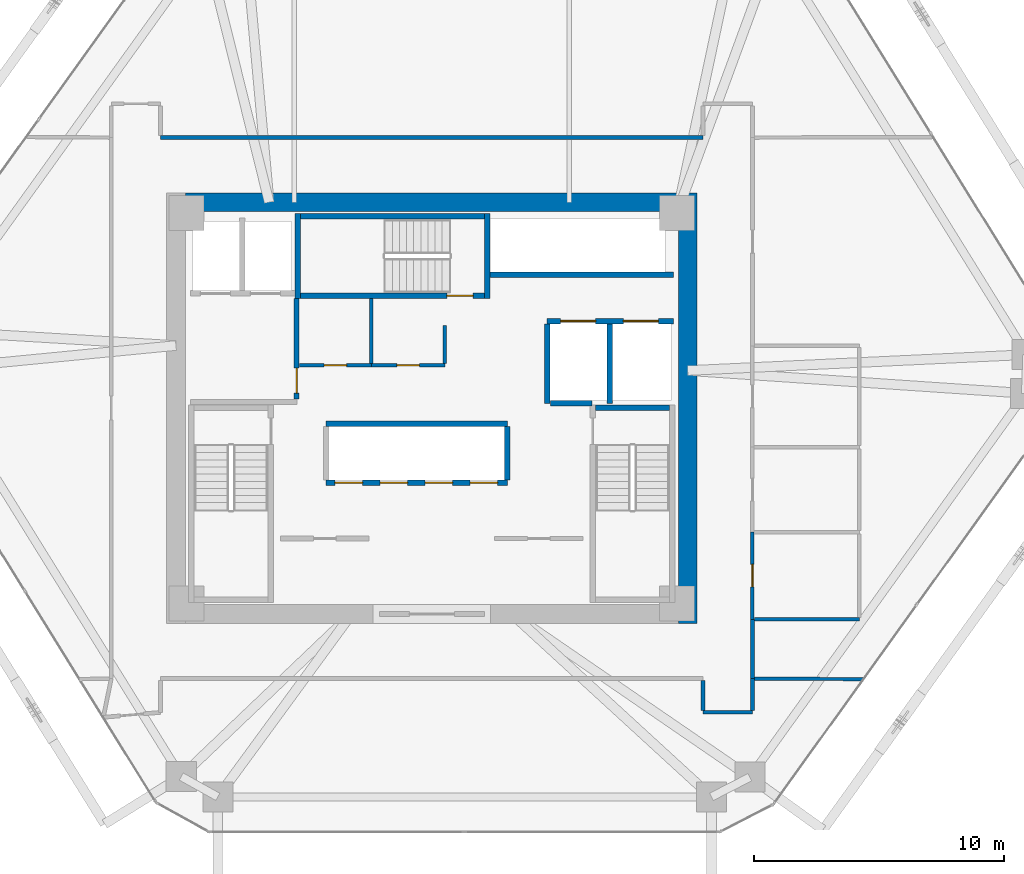
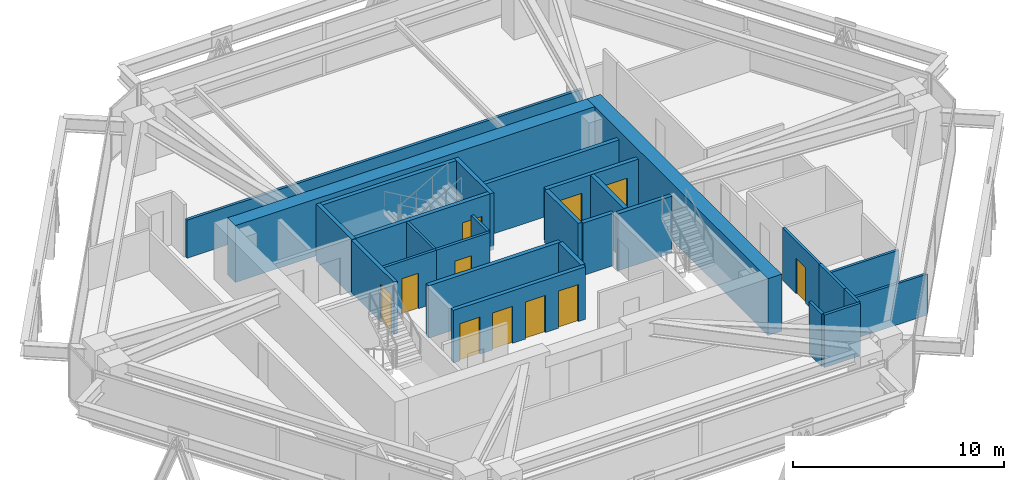
# One storey, part 13 of 15: 28 walls, 11 doors, 11 openings.
"""IFC4 building model written with IfcOpenShell, lengths in metres."""

from ifc_helpers import new_model, si_unit, direction, frame, frame_2d, origin, place, context, subcontext, project, spatial, rectangle, extrude, source, transform, mapped, material, layer, layer_set, type_object, type_shapes, element, fill, save


model = new_model("IFC4")

# Units and contexts
model_context = context("Model", 3, precision=1e-05, world=origin(), true_north=direction((0.0, 1.0)))
body_context = subcontext(model_context, "Body", "Model", "MODEL_VIEW")
ifc_project = project(units=[si_unit("LENGTHUNIT", "METRE"), si_unit("AREAUNIT", "SQUARE_METRE"), si_unit("VOLUMEUNIT", "CUBIC_METRE"), si_unit("PLANEANGLEUNIT", "RADIAN"), si_unit("MASSUNIT", "GRAM", prefix="KILO")], contexts=[model_context])

# Site, building, storey
site_placement = place(None, origin())
site = spatial("IfcSite", under=ifc_project, at=site_placement, CompositionType="ELEMENT")
building_placement = place(site_placement, origin())
building = spatial("IfcBuilding", under=site, at=building_placement, Name="Durnholm Broadcast Tower", CompositionType="ELEMENT")
storey_placement = place(building_placement, frame((0.0, 0.0, 104.10009765625)))
storey = spatial("IfcBuildingStorey", under=building, at=storey_placement, Name="L27", CompositionType="ELEMENT", Elevation=104.10009765625)

# Walls
ifc_material_1 = material(Name="Concrete C70/85", Category="concrete")
ifc_layer_1 = layer(ifc_material_1, 0.75)
ifc_layer_set_1 = layer_set([ifc_layer_1], Name="Concrete C70/85")
wall_type_1 = type_object("IfcWallType", Name="WALL-CW-750", PredefinedType="SHEAR", material=ifc_layer_set_1)
wall_1_placement = place(storey_placement, frame((10.22509765625, -8.60009765625, 0.0), z_axis=(0.0, 0.0, 1.0), x_axis=(0.0, 1.0, 0.0)))
element("IfcWall", 1, at=wall_1_placement, inside=storey, type_object=wall_type_1, Name="L27 central core shear wall CW-EAST", PredefinedType="SHEAR", context=body_context, shape_type="SweptSolid", body=[
    extrude(rectangle(XDim=17.2001953125, YDim=0.75, at=frame_2d((8.60009765625, 0.0))), origin(), (0.0, 0.0, 1.0), 3.2998046875),
])
wall_2_placement = place(storey_placement, frame((-9.85009765625, 8.22509765625, 0.0), z_axis=(0.0, 0.0, 1.0), x_axis=(1.0, 0.0, 0.0)))
element("IfcWall", 2, at=wall_2_placement, inside=storey, type_object=wall_type_1, Name="L27 central core shear wall CW-N", PredefinedType="SHEAR", context=body_context, shape_type="SweptSolid", body=[
    extrude(rectangle(XDim=19.7001953125, YDim=0.75, at=frame_2d((9.85009765625, 0.0))), origin(), (0.0, 0.0, 1.0), 3.2998046875),
])

# Wall, opening, door
ifc_material_2 = material(Name="Fire-Rated Gypsum Shaftwall", Category="concrete")
ifc_layer_2 = layer(ifc_material_2, 0.199951171875)
ifc_layer_set_2 = layer_set([ifc_layer_2], Name="Fire-Rated Gypsum Shaftwall")
wall_type_2 = type_object("IfcWallType", Name="WALL-LOB-200", PredefinedType="SOLIDWALL", material=ifc_layer_set_2)
wall_3_placement = place(storey_placement, frame((-5.39990234375, 0.35400390625, 0.0), z_axis=(0.0, 0.0, 1.0), x_axis=(0.0, 1.0, 0.0)))
wall_3 = element("IfcWall", 3, at=wall_3_placement, inside=storey, type_object=wall_type_2, Name="L27 Fire Service Access Elevator lobby east fire wall", PredefinedType="SOLIDWALL", context=body_context, shape_type="SweptSolid", body=[
    extrude(rectangle(XDim=4.02587890625, YDim=0.199951171875, at=frame_2d((2.012939453125, 0.0))), origin(), (0.0, 0.0, 1.0), 3.044921875),
])
opening_1_placement = place(wall_3_placement, frame((0.24609375, 0.0, 0.0)))
opening_1 = element("IfcOpeningElement", 4, at=opening_1_placement, cuts=wall_3, Name="Opening DL-60R", PredefinedType="OPENING", context=body_context, shape_type="SweptSolid", body=[
    extrude(rectangle(XDim=1.0, YDim=2.14990234375, at=frame_2d((0.5, 1.074951171875))), frame((0.0, 0.10986328125, 0.0), z_axis=(0.0, -1.0, 0.0), x_axis=(1.0, 0.0, 0.0)), (0.0, 0.0, 1.0), 0.219970703125),
])
ifc_material_3 = material(Name="Fire-Rated Timber/Steel Door", Category="steel")
ifc_layer_3 = layer(ifc_material_3, 0.050048828125)
ifc_layer_set_3 = layer_set([ifc_layer_3], Name="Fire-Rated Timber/Steel Door")
door_type_1 = type_object("IfcDoorType", Name="DOOR-LOB-FD60-R", OperationType="NOTDEFINED", PredefinedType="DOOR", material=ifc_layer_set_3)
shared_shape_1 = source(origin(), body_context, "Body", "SweptSolid", [
    extrude(rectangle(XDim=1.0, YDim=2.14990234375, at=frame_2d((0.5, 1.074951171875))), frame((0.0, 0.02490234375, 0.0), z_axis=(0.0, -1.0, 0.0), x_axis=(1.0, 0.0, 0.0)), (0.0, 0.0, 1.0), 0.050048828125),
])
type_shapes(door_type_1, [shared_shape_1])
door_1_placement = place(opening_1_placement, origin())
door_1 = element("IfcDoor", 5, at=door_1_placement, inside=storey, type_object=door_type_1, Name="L27 Fire Service Access Elevator lobby smoke door", OperationType="SINGLE_SWING_RIGHT", OverallHeight=2.14990234375, OverallWidth=1.0, PredefinedType="DOOR", context=body_context, shape_type="MappedRepresentation", body=[
    mapped(shared_shape_1, transform((0.0, 0.0, 0.0), x_axis=(1.0, 0.0, 0.0), y_axis=(0.0, 1.0, 0.0), z_axis=(0.0, 0.0, 1.0), scale=1.0)),
])
fill(opening_1, door_1)

# Walls
ifc_material_4 = material(Name="Gypsum Metal Stud Partition", Category="concrete")
ifc_layer_4 = layer(ifc_material_4, 0.135009765625)
ifc_layer_set_4 = layer_set([ifc_layer_4], Name="Gypsum Metal Stud Partition")
wall_type_3 = type_object("IfcWallType", Name="WALL-PART-135", PredefinedType="PARTITIONING", material=ifc_layer_set_4)
wall_4_placement = place(storey_placement, frame((-2.419921875, 4.375, 0.0), z_axis=(0.0, 0.0, 1.0), x_axis=(0.0, -1.0, 0.0)))
element("IfcWall", 6, at=wall_4_placement, inside=storey, type_object=wall_type_3, Name="L27 room dividing partition 3.4", PredefinedType="PARTITIONING", context=body_context, shape_type="SweptSolid", body=[
    extrude(rectangle(XDim=2.5859375, YDim=0.135009765625, at=frame_2d((1.29296875, 0.0))), origin(), (0.0, 0.0, 1.0), 3.044921875),
])
wall_5_placement = place(storey_placement, frame((12.888916015625, -10.810302734375, 0.0), z_axis=(0.0, 0.0, 1.0), x_axis=(0.999986140562, -0.005264853658, 0.0)))
element("IfcWall", 7, at=wall_5_placement, inside=storey, type_object=wall_type_3, Name="L27 room dividing partition 9.11", PredefinedType="PARTITIONING", context=body_context, shape_type="SweptSolid", body=[
    extrude(rectangle(XDim=4.35888671875, YDim=0.135009765625, at=frame_2d((2.179443359375, 0.0))), origin(), (0.0, 0.0, 1.0), 2.3798828125),
])

# Wall, opening, door
ifc_material_5 = material(Name="Acoustic Gypsum Stud Partition", Category="concrete")
ifc_layer_5 = layer(ifc_material_5, 0.14990234375)
ifc_layer_set_5 = layer_set([ifc_layer_5], Name="Acoustic Gypsum Stud Partition")
wall_type_4 = type_object("IfcWallType", Name="WALL-PART-150", PredefinedType="PARTITIONING", material=ifc_layer_set_5)
wall_6_placement = place(storey_placement, frame((-2.419921875, 1.7099609375, 0.0), z_axis=(0.0, 0.0, 1.0), x_axis=(-1.0, 0.0, 0.0)))
wall_6 = element("IfcWall", 8, at=wall_6_placement, inside=storey, type_object=wall_type_4, Name="L27 Core Equipment Store corridor partition", PredefinedType="PARTITIONING", context=body_context, shape_type="SweptSolid", body=[
    extrude(rectangle(XDim=2.8759765625, YDim=0.14990234375, at=frame_2d((1.43798828125, 0.0))), origin(), (0.0, 0.0, 1.0), 3.044921875),
])
opening_2_placement = place(wall_6_placement, frame((0.988037109375, 0.0, 0.0)))
opening_2 = element("IfcOpeningElement", 9, at=opening_2_placement, cuts=wall_6, Name="Opening DC-60L", PredefinedType="OPENING", context=body_context, shape_type="SweptSolid", body=[
    extrude(rectangle(XDim=0.89990234375, YDim=2.050048828125, at=frame_2d((0.449951171875, 1.02490234375))), frame((0.0, 0.0849609375, 0.0), z_axis=(0.0, -1.0, 0.0), x_axis=(1.0, 0.0, 0.0)), (0.0, 0.0, 1.0), 0.169921875),
])
ifc_material_6 = material(Name="Fire-Rated Core Service Door", Category="steel")
ifc_layer_6 = layer(ifc_material_6, 0.050048828125)
ifc_layer_set_6 = layer_set([ifc_layer_6], Name="Fire-Rated Core Service Door")
door_type_2 = type_object("IfcDoorType", Name="DOOR-CORE-FD60-L", OperationType="NOTDEFINED", PredefinedType="DOOR", material=ifc_layer_set_6)
shared_shape_2 = source(origin(), body_context, "Body", "SweptSolid", [
    extrude(rectangle(XDim=0.89990234375, YDim=2.050048828125, at=frame_2d((0.449951171875, 1.02490234375))), frame((0.0, 0.02490234375, 0.0), z_axis=(0.0, -1.0, 0.0), x_axis=(1.0, 0.0, 0.0)), (0.0, 0.0, 1.0), 0.050048828125),
])
type_shapes(door_type_2, [shared_shape_2])
door_2_placement = place(opening_2_placement, origin())
door_2 = element("IfcDoor", 10, at=door_2_placement, inside=storey, type_object=door_type_2, Name="L27 Core Equipment Store entrance door", OperationType="SINGLE_SWING_LEFT", OverallHeight=2.050048828125, OverallWidth=0.89990234375, PredefinedType="DOOR", context=body_context, shape_type="MappedRepresentation", body=[
    mapped(shared_shape_2, transform((0.0, 0.0, 0.0), x_axis=(1.0, 0.0, 0.0), y_axis=(0.0, 1.0, 0.0), z_axis=(0.0, 0.0, 1.0), scale=1.0)),
])
fill(opening_2, door_2)

wall_7_placement = place(storey_placement, frame((0.52001953125, 1.7099609375, 0.0), z_axis=(0.0, 0.0, 1.0), x_axis=(-1.0, 0.0, 0.0)))
wall_7 = element("IfcWall", 11, at=wall_7_placement, inside=storey, type_object=wall_type_4, Name="L27 Core Mail and Supply Room corridor partition", PredefinedType="PARTITIONING", context=body_context, shape_type="SweptSolid", body=[
    extrude(rectangle(XDim=2.93994140625, YDim=0.14990234375, at=frame_2d((1.469970703125, 0.0))), origin(), (0.0, 0.0, 1.0), 3.044921875),
])
opening_3_placement = place(wall_7_placement, frame((1.02001953125, 0.0, 0.0)))
opening_3 = element("IfcOpeningElement", 12, at=opening_3_placement, cuts=wall_7, Name="Opening DC-60R", PredefinedType="OPENING", context=body_context, shape_type="SweptSolid", body=[
    extrude(rectangle(XDim=0.89990234375, YDim=2.050048828125, at=frame_2d((0.449951171875, 1.02490234375))), frame((0.0, 0.0849609375, 0.0), z_axis=(0.0, -1.0, 0.0), x_axis=(1.0, 0.0, 0.0)), (0.0, 0.0, 1.0), 0.169921875),
])
ifc_layer_7 = layer(ifc_material_6, 0.050048828125)
ifc_layer_set_7 = layer_set([ifc_layer_7], Name="Fire-Rated Core Service Door")
door_type_3 = type_object("IfcDoorType", Name="DOOR-CORE-FD60-R", OperationType="NOTDEFINED", PredefinedType="DOOR", material=ifc_layer_set_7)
shared_shape_3 = source(origin(), body_context, "Body", "SweptSolid", [
    extrude(rectangle(XDim=0.89990234375, YDim=2.050048828125, at=frame_2d((0.449951171875, 1.02490234375))), frame((0.0, 0.02490234375, 0.0), z_axis=(0.0, -1.0, 0.0), x_axis=(1.0, 0.0, 0.0)), (0.0, 0.0, 1.0), 0.050048828125),
])
type_shapes(door_type_3, [shared_shape_3])
door_3_placement = place(opening_3_placement, origin())
door_3 = element("IfcDoor", 13, at=door_3_placement, inside=storey, type_object=door_type_3, Name="L27 Core Mail and Supply Room entrance door", OperationType="SINGLE_SWING_RIGHT", OverallHeight=2.050048828125, OverallWidth=0.89990234375, PredefinedType="DOOR", context=body_context, shape_type="MappedRepresentation", body=[
    mapped(shared_shape_3, transform((0.0, 0.0, 0.0), x_axis=(1.0, 0.0, 0.0), y_axis=(0.0, 1.0, 0.0), z_axis=(0.0, 0.0, 1.0), scale=1.0)),
])
fill(opening_3, door_3)

# Walls
wall_8_placement = place(storey_placement, frame((0.52001953125, 3.300048828125, 0.0), z_axis=(0.0, 0.0, 1.0), x_axis=(0.0, -1.0, 0.0)))
element("IfcWall", 14, at=wall_8_placement, inside=storey, type_object=wall_type_4, Name="L27 Core Mail and Supply Room corridor partition", PredefinedType="PARTITIONING", context=body_context, shape_type="SweptSolid", body=[
    extrude(rectangle(XDim=1.510986328125, YDim=0.14990234375, at=frame_2d((0.75537109375, 0.0))), origin(), (0.0, 0.0, 1.0), 3.044921875),
])
wall_9_placement = place(storey_placement, frame((10.840087890625, 10.81005859375, 0.0), z_axis=(0.0, 0.0, 1.0), x_axis=(-1.0, 0.0, 0.0)))
element("IfcWall", 15, at=wall_9_placement, inside=storey, type_object=wall_type_4, Name="L27 Network Operations Hall corridor partition", PredefinedType="PARTITIONING", context=body_context, shape_type="SweptSolid", body=[
    extrude(rectangle(XDim=21.68017578125, YDim=0.14990234375, at=frame_2d((10.840087890625, 0.0))), origin(), (0.0, 0.0, 1.0), 2.2119140625),
])
wall_10_placement = place(storey_placement, frame((10.840087890625, -12.159912109375, 0.0), z_axis=(0.0, 0.0, 1.0), x_axis=(1.0, 0.0, 0.0)))
element("IfcWall", 16, at=wall_10_placement, inside=storey, type_object=wall_type_4, Name="L27 Open Plan Broadcast Workspace 3 corridor partition", PredefinedType="PARTITIONING", context=body_context, shape_type="SweptSolid", body=[
    extrude(rectangle(XDim=1.969970703125, YDim=0.14990234375, at=frame_2d((0.98486328125, 0.0))), origin(), (0.0, 0.0, 1.0), 3.044921875),
])
wall_11_placement = place(storey_placement, frame((10.840087890625, -10.888916015625, 0.0), z_axis=(0.0, 0.0, 1.0), x_axis=(0.0, -1.0, 0.0)))
element("IfcWall", 17, at=wall_11_placement, inside=storey, type_object=wall_type_4, Name="L27 Open Plan Broadcast Workspace 3 corridor partition", PredefinedType="PARTITIONING", context=body_context, shape_type="SweptSolid", body=[
    extrude(rectangle(XDim=1.192138671875, YDim=0.14990234375, at=frame_2d((0.59619140625, 0.0))), origin(), (0.0, 0.0, 1.0), 3.044921875),
])
wall_12_placement = place(storey_placement, frame((12.81005859375, -12.0810546875, 0.0), z_axis=(0.0, 0.0, 1.0), x_axis=(0.0, 1.0, 0.0)))
element("IfcWall", 18, at=wall_12_placement, inside=storey, type_object=wall_type_4, Name="L27 Open Plan Broadcast Workspace 3 corridor partition", PredefinedType="PARTITIONING", context=body_context, shape_type="SweptSolid", body=[
    extrude(rectangle(XDim=1.27099609375, YDim=0.14990234375, at=frame_2d((0.635498046875, 0.0))), origin(), (0.0, 0.0, 1.0), 3.044921875),
])
wall_13_placement = place(storey_placement, frame((12.81005859375, -10.81005859375, 0.0), z_axis=(0.0, 0.0, 1.0), x_axis=(0.0, 1.0, 0.0)))
element("IfcWall", 19, at=wall_13_placement, inside=storey, type_object=wall_type_4, Name="L27 Systems Lounge corridor partition", PredefinedType="PARTITIONING", context=body_context, shape_type="SweptSolid", body=[
    extrude(rectangle(XDim=2.3701171875, YDim=0.14990234375, at=frame_2d((1.18505859375, 0.0))), origin(), (0.0, 0.0, 1.0), 3.044921875),
])

# Wall, openings, doors
ifc_material_7 = material(Name="Concrete Blockwork C30/37", Category="masonry")
ifc_layer_8 = layer(ifc_material_7, 0.219970703125)
ifc_layer_set_8 = layer_set([ifc_layer_8], Name="Concrete Blockwork C30/37")
wall_type_5 = type_object("IfcWallType", Name="WALL-SHAFT-220", PredefinedType="SOLIDWALL", material=ifc_layer_set_8)
wall_14_placement = place(storey_placement, frame((4.60009765625, 3.47998046875, 0.0), z_axis=(0.0, 0.0, 1.0), x_axis=(1.0, 0.0, 0.0)))
wall_14 = element("IfcWall", 20, at=wall_14_placement, inside=storey, type_object=wall_type_5, Name="L27 freight service lifts north front wall", PredefinedType="SOLIDWALL", context=body_context, shape_type="SweptSolid", body=[
    extrude(rectangle(XDim=5.0498046875, YDim=0.219970703125, at=frame_2d((2.52490234375, 0.0))), origin(), (0.0, 0.0, 1.0), 3.044921875),
])
opening_4_placement = place(wall_14_placement, frame((0.550048828125, 0.0, 0.0)))
opening_4 = element("IfcOpeningElement", 21, at=opening_4_placement, cuts=wall_14, Name="Opening LD-SVL-2", PredefinedType="OPENING", context=body_context, shape_type="SweptSolid", body=[
    extrude(rectangle(XDim=1.39990234375, YDim=2.14990234375, at=frame_2d((0.699951171875, 1.074951171875))), frame((0.0, 0.1201171875, 0.0), z_axis=(0.0, -1.0, 0.0), x_axis=(1.0, 0.0, 0.0)), (0.0, 0.0, 1.0), 0.239990234375),
])
opening_5_placement = place(wall_14_placement, frame((3.050048828125, 0.0, 0.0)))
opening_5 = element("IfcOpeningElement", 22, at=opening_5_placement, cuts=wall_14, Name="Opening LD-SVL-1", PredefinedType="OPENING", context=body_context, shape_type="SweptSolid", body=[
    extrude(rectangle(XDim=1.39990234375, YDim=2.14990234375, at=frame_2d((0.699951171875, 1.074951171875))), frame((0.0, 0.1201171875, 0.0), z_axis=(0.0, -1.0, 0.0), x_axis=(1.0, 0.0, 0.0)), (0.0, 0.0, 1.0), 0.239990234375),
])
ifc_material_8 = material(Name="Freight Elevator Bi-Parting Sliding Landing Door", Category="steel")
ifc_layer_9 = layer(ifc_material_8, 0.050048828125)
ifc_layer_set_9 = layer_set([ifc_layer_9], Name="Freight Elevator Bi-Parting Sliding Landing Door")
door_type_4 = type_object("IfcDoorType", Name="DOOR-LIFT-SVL", OperationType="DOUBLE_DOOR_SLIDING", PredefinedType="DOOR", material=ifc_layer_set_9)
shared_shape_4 = source(origin(), body_context, "Body", "SweptSolid", [
    extrude(rectangle(XDim=1.39990234375, YDim=2.14990234375, at=frame_2d((0.699951171875, 1.074951171875))), frame((0.0, 0.02490234375, 0.0), z_axis=(0.0, -1.0, 0.0), x_axis=(1.0, 0.0, 0.0)), (0.0, 0.0, 1.0), 0.050048828125),
])
type_shapes(door_type_4, [shared_shape_4])
door_4_placement = place(opening_4_placement, origin())
door_4 = element("IfcDoor", 23, at=door_4_placement, inside=storey, type_object=door_type_4, Name="L27 freight service elevator SVL-2 sliding landing door", OperationType="DOUBLE_DOOR_SLIDING", OverallHeight=2.14990234375, OverallWidth=1.39990234375, PredefinedType="DOOR", context=body_context, shape_type="MappedRepresentation", body=[
    mapped(shared_shape_4, transform((0.0, 0.0, 0.0), x_axis=(1.0, 0.0, 0.0), y_axis=(0.0, 1.0, 0.0), z_axis=(0.0, 0.0, 1.0), scale=1.0)),
])
fill(opening_4, door_4)
door_5_placement = place(opening_5_placement, origin())
door_5 = element("IfcDoor", 24, at=door_5_placement, inside=storey, type_object=door_type_4, Name="L27 freight service elevator SVL-1 sliding landing door", OperationType="DOUBLE_DOOR_SLIDING", OverallHeight=2.14990234375, OverallWidth=1.39990234375, PredefinedType="DOOR", context=body_context, shape_type="MappedRepresentation", body=[
    mapped(shared_shape_4, transform((0.0, 0.0, 0.0), x_axis=(1.0, 0.0, 0.0), y_axis=(0.0, 1.0, 0.0), z_axis=(0.0, 0.0, 1.0), scale=1.0)),
])
fill(opening_5, door_5)

# Walls
for number, where, z_axis, x_axis, name in (
    (25, (4.6201171875, 0.179931640625, 0.0), (0.0, 0.0, 1.0), (0.0, 1.0, 0.0), "L27 freight service lift SVL-2 west wall"),
    (26, (7.1201171875, 0.179931640625, 0.0), (0.0, 0.0, 1.0), (0.0, 1.0, 0.0), "L27 freight service lifts divider wall"),
):
    element("IfcWall", number, at=place(storey_placement, frame(where, z_axis=z_axis, x_axis=x_axis)), inside=storey, type_object=wall_type_5, Name=name, PredefinedType="SOLIDWALL", context=body_context, shape_type="SweptSolid", body=[
        extrude(rectangle(XDim=3.18603515625, YDim=0.219970703125, at=frame_2d((1.593017578125, 0.0))), origin(), (0.0, 0.0, 1.0), 3.044921875),
    ])
wall_15_placement = place(storey_placement, frame((4.73388671875, 0.199951171875, 0.0), z_axis=(0.0, 0.0, 1.0), x_axis=(1.0, 0.0, 0.0)))
element("IfcWall", 27, at=wall_15_placement, inside=storey, type_object=wall_type_5, Name="L27 freight service lift SVL-2 south wall", PredefinedType="SOLIDWALL", context=body_context, shape_type="SweptSolid", body=[
    extrude(rectangle(XDim=1.666015625, YDim=0.219970703125, at=frame_2d((0.8330078125, 0.0))), origin(), (0.0, 0.0, 1.0), 3.044921875),
])

# Wall, openings, doors
wall_16_placement = place(storey_placement, frame((-4.219970703125, -2.97998046875, 0.0), z_axis=(0.0, 0.0, 1.0), x_axis=(1.0, 0.0, 0.0)))
wall_16 = element("IfcWall", 28, at=wall_16_placement, inside=storey, type_object=wall_type_5, Name="L27 mid-rise bank P2 south front wall", PredefinedType="SOLIDWALL", context=body_context, shape_type="SweptSolid", body=[
    extrude(rectangle(XDim=7.239990234375, YDim=0.219970703125, at=frame_2d((3.6201171875, 0.0))), origin(), (0.0, 0.0, 1.0), 3.044921875),
])
opening_6_placement = place(wall_16_placement, frame((0.35009765625, 0.0, 0.0)))
opening_6 = element("IfcOpeningElement", 29, at=opening_6_placement, cuts=wall_16, Name="Opening LD-LP2-1", PredefinedType="OPENING", context=body_context, shape_type="SweptSolid", body=[
    extrude(rectangle(XDim=1.10009765625, YDim=2.14990234375, at=frame_2d((0.550048828125, 1.074951171875))), frame((0.0, 0.1201171875, 0.0), z_axis=(0.0, -1.0, 0.0), x_axis=(1.0, 0.0, 0.0)), (0.0, 0.0, 1.0), 0.239990234375),
])
opening_7_placement = place(wall_16_placement, frame((2.14990234375, 0.0, 0.0)))
opening_7 = element("IfcOpeningElement", 30, at=opening_7_placement, cuts=wall_16, Name="Opening LD-LP2-2", PredefinedType="OPENING", context=body_context, shape_type="SweptSolid", body=[
    extrude(rectangle(XDim=1.10009765625, YDim=2.14990234375, at=frame_2d((0.550048828125, 1.074951171875))), frame((0.0, 0.1201171875, 0.0), z_axis=(0.0, -1.0, 0.0), x_axis=(1.0, 0.0, 0.0)), (0.0, 0.0, 1.0), 0.239990234375),
])
opening_8_placement = place(wall_16_placement, frame((3.949951171875, 0.0, 0.0)))
opening_8 = element("IfcOpeningElement", 31, at=opening_8_placement, cuts=wall_16, Name="Opening LD-LP2-3", PredefinedType="OPENING", context=body_context, shape_type="SweptSolid", body=[
    extrude(rectangle(XDim=1.10009765625, YDim=2.14990234375, at=frame_2d((0.550048828125, 1.074951171875))), frame((0.0, 0.1201171875, 0.0), z_axis=(0.0, -1.0, 0.0), x_axis=(1.0, 0.0, 0.0)), (0.0, 0.0, 1.0), 0.239990234375),
])
opening_9_placement = place(wall_16_placement, frame((5.75, 0.0, 0.0)))
opening_9 = element("IfcOpeningElement", 32, at=opening_9_placement, cuts=wall_16, Name="Opening LD-LP2-4", PredefinedType="OPENING", context=body_context, shape_type="SweptSolid", body=[
    extrude(rectangle(XDim=1.10009765625, YDim=2.14990234375, at=frame_2d((0.550048828125, 1.074951171875))), frame((0.0, 0.1201171875, 0.0), z_axis=(0.0, -1.0, 0.0), x_axis=(1.0, 0.0, 0.0)), (0.0, 0.0, 1.0), 0.239990234375),
])
ifc_material_9 = material(Name="Stainless Steel Sliding Elevator Landing Door", Category="steel")
ifc_layer_10 = layer(ifc_material_9, 0.050048828125)
ifc_layer_set_10 = layer_set([ifc_layer_10], Name="Stainless Steel Sliding Elevator Landing Door")
door_type_5 = type_object("IfcDoorType", Name="DOOR-LIFT-PAX", OperationType="DOUBLE_DOOR_SLIDING", PredefinedType="DOOR", material=ifc_layer_set_10)
shared_shape_5 = source(origin(), body_context, "Body", "SweptSolid", [
    extrude(rectangle(XDim=1.10009765625, YDim=2.14990234375, at=frame_2d((0.550048828125, 1.074951171875))), frame((0.0, 0.02490234375, 0.0), z_axis=(0.0, -1.0, 0.0), x_axis=(1.0, 0.0, 0.0)), (0.0, 0.0, 1.0), 0.050048828125),
])
type_shapes(door_type_5, [shared_shape_5])
door_6_placement = place(opening_6_placement, origin())
door_6 = element("IfcDoor", 33, at=door_6_placement, inside=storey, type_object=door_type_5, Name="L27 passenger elevator LP2-1 sliding landing door", OperationType="DOUBLE_DOOR_SLIDING", OverallHeight=2.14990234375, OverallWidth=1.10009765625, PredefinedType="DOOR", context=body_context, shape_type="MappedRepresentation", body=[
    mapped(shared_shape_5, transform((0.0, 0.0, 0.0), x_axis=(1.0, 0.0, 0.0), y_axis=(0.0, 1.0, 0.0), z_axis=(0.0, 0.0, 1.0), scale=1.0)),
])
fill(opening_6, door_6)
door_7_placement = place(opening_7_placement, origin())
door_7 = element("IfcDoor", 34, at=door_7_placement, inside=storey, type_object=door_type_5, Name="L27 passenger elevator LP2-2 sliding landing door", OperationType="DOUBLE_DOOR_SLIDING", OverallHeight=2.14990234375, OverallWidth=1.10009765625, PredefinedType="DOOR", context=body_context, shape_type="MappedRepresentation", body=[
    mapped(shared_shape_5, transform((0.0, 0.0, 0.0), x_axis=(1.0, 0.0, 0.0), y_axis=(0.0, 1.0, 0.0), z_axis=(0.0, 0.0, 1.0), scale=1.0)),
])
fill(opening_7, door_7)
door_8_placement = place(opening_8_placement, origin())
door_8 = element("IfcDoor", 35, at=door_8_placement, inside=storey, type_object=door_type_5, Name="L27 passenger elevator LP2-3 sliding landing door", OperationType="DOUBLE_DOOR_SLIDING", OverallHeight=2.14990234375, OverallWidth=1.10009765625, PredefinedType="DOOR", context=body_context, shape_type="MappedRepresentation", body=[
    mapped(shared_shape_5, transform((0.0, 0.0, 0.0), x_axis=(1.0, 0.0, 0.0), y_axis=(0.0, 1.0, 0.0), z_axis=(0.0, 0.0, 1.0), scale=1.0)),
])
fill(opening_8, door_8)
door_9_placement = place(opening_9_placement, origin())
door_9 = element("IfcDoor", 36, at=door_9_placement, inside=storey, type_object=door_type_5, Name="L27 passenger elevator LP2-4 sliding landing door", OperationType="DOUBLE_DOOR_SLIDING", OverallHeight=2.14990234375, OverallWidth=1.10009765625, PredefinedType="DOOR", context=body_context, shape_type="MappedRepresentation", body=[
    mapped(shared_shape_5, transform((0.0, 0.0, 0.0), x_axis=(1.0, 0.0, 0.0), y_axis=(0.0, 1.0, 0.0), z_axis=(0.0, 0.0, 1.0), scale=1.0)),
])
fill(opening_9, door_9)

# Walls
wall_17_placement = place(storey_placement, frame((-4.219970703125, -0.6201171875, 0.0), z_axis=(0.0, 0.0, 1.0), x_axis=(1.0, 0.0, 0.0)))
element("IfcWall", 37, at=wall_17_placement, inside=storey, type_object=wall_type_5, Name="L27 mid-rise bank P2 north shaft wall", PredefinedType="SOLIDWALL", context=body_context, shape_type="SweptSolid", body=[
    extrude(rectangle(XDim=7.239990234375, YDim=0.219970703125, at=frame_2d((3.6201171875, 0.0))), origin(), (0.0, 0.0, 1.0), 3.044921875),
])
wall_18_placement = place(storey_placement, frame((3.02001953125, -2.865966796875, 0.0), z_axis=(0.0, 0.0, 1.0), x_axis=(0.0, 1.0, 0.0)))
element("IfcWall", 38, at=wall_18_placement, inside=storey, type_object=wall_type_5, Name="L27 mid-rise bank P2 east shaft wall", PredefinedType="SOLIDWALL", context=body_context, shape_type="SweptSolid", body=[
    extrude(rectangle(XDim=2.132080078125, YDim=0.219970703125, at=frame_2d((1.06591796875, 0.0))), origin(), (0.0, 0.0, 1.0), 3.044921875),
])
wall_19_placement = place(storey_placement, frame((2.324951171875, 5.320068359375, 0.0), z_axis=(0.0, 0.0, 1.0), x_axis=(1.0, 0.0, 0.0)))
element("IfcWall", 39, at=wall_19_placement, inside=storey, type_object=wall_type_5, Name="L27 high-rise bank P3 south front wall", PredefinedType="SOLIDWALL", context=body_context, shape_type="SweptSolid", body=[
    extrude(rectangle(XDim=7.324951171875, YDim=0.219970703125, at=frame_2d((3.66259765625, 0.0))), origin(), (0.0, 0.0, 1.0), 3.044921875),
])
ifc_material_10 = material(Name="Concrete C50/60", Category="concrete")
ifc_layer_11 = layer(ifc_material_10, 0.219970703125)
ifc_layer_set_11 = layer_set([ifc_layer_11], Name="Concrete C50/60")
wall_type_6 = type_object("IfcWallType", Name="WALL-SW-220", PredefinedType="SHEAR", material=ifc_layer_set_11)
wall_20_placement = place(storey_placement, frame((9.5, 0.010009765625, -0.239990234375), z_axis=(0.0, 0.0, 1.0), x_axis=(-1.0, 0.0, 0.0)))
element("IfcWall", 40, at=wall_20_placement, inside=storey, type_object=wall_type_6, Name="L27 stair ST-2 structural shaft wall N", PredefinedType="SHEAR", context=body_context, shape_type="SweptSolid", body=[
    extrude(rectangle(XDim=2.9599609375, YDim=0.219970703125, at=frame_2d((1.47998046875, 0.0))), origin(), (0.0, 0.0, 1.0), 3.2998046875),
])
for number, where, z_axis, x_axis, name in (
    (41, (2.2099609375, 4.3798828125, -0.239990234375), (0.0, 0.0, 1.0), (0.0, 1.0, 0.0), "L27 stair ST-3 structural shaft wall E"),
    (42, (-5.360107421875, 7.780029296875, -0.239990234375), (0.0, 0.0, 1.0), (0.0, -1.0, 0.0), "L27 stair ST-3 structural shaft wall W"),
):
    element("IfcWall", number, at=place(storey_placement, frame(where, z_axis=z_axis, x_axis=x_axis)), inside=storey, type_object=wall_type_6, Name=name, PredefinedType="SHEAR", context=body_context, shape_type="SweptSolid", body=[
        extrude(rectangle(XDim=3.400146484375, YDim=0.219970703125, at=frame_2d((1.7001953125, 0.0))), origin(), (0.0, 0.0, 1.0), 3.2998046875),
    ])

# Wall, opening, door
wall_21_placement = place(storey_placement, frame((-5.25, 4.489990234375, -0.239990234375), z_axis=(0.0, 0.0, 1.0), x_axis=(1.0, 0.0, 0.0)))
wall_21 = element("IfcWall", 43, at=wall_21_placement, inside=storey, type_object=wall_type_6, Name="L27 stair ST-3 structural shaft wall S", PredefinedType="SHEAR", context=body_context, shape_type="SweptSolid", body=[
    extrude(rectangle(XDim=7.35009765625, YDim=0.219970703125, at=frame_2d((3.675048828125, 0.0))), origin(), (0.0, 0.0, 1.0), 3.2998046875),
])
opening_10_placement = place(wall_21_placement, frame((5.85009765625, 0.0, 0.0)))
opening_10 = element("IfcOpeningElement", 44, at=opening_10_placement, cuts=wall_21, Name="Opening DS-90L", PredefinedType="OPENING", context=body_context, shape_type="SweptSolid", body=[
    extrude(rectangle(XDim=1.050048828125, YDim=2.14990234375, at=frame_2d((0.52490234375, 1.074951171875))), frame((0.0, 0.1201171875, 0.0), z_axis=(0.0, -1.0, 0.0), x_axis=(1.0, 0.0, 0.0)), (0.0, 0.0, 1.0), 0.239990234375),
])
ifc_material_11 = material(Name="Fire-Rated Steel Door", Category="steel")
ifc_layer_12 = layer(ifc_material_11, 0.050048828125)
ifc_layer_set_12 = layer_set([ifc_layer_12], Name="Fire-Rated Steel Door")
door_type_6 = type_object("IfcDoorType", Name="DOOR-ST-FD90-L", OperationType="NOTDEFINED", PredefinedType="DOOR", material=ifc_layer_set_12)
shared_shape_6 = source(origin(), body_context, "Body", "SweptSolid", [
    extrude(rectangle(XDim=1.050048828125, YDim=2.14990234375, at=frame_2d((0.52490234375, 1.074951171875))), frame((0.0, 0.02490234375, 0.0), z_axis=(0.0, -1.0, 0.0), x_axis=(1.0, 0.0, 0.0)), (0.0, 0.0, 1.0), 0.050048828125),
])
type_shapes(door_type_6, [shared_shape_6])
door_10_placement = place(opening_10_placement, origin())
door_10 = element("IfcDoor", 45, at=door_10_placement, inside=storey, type_object=door_type_6, Name="L27 exit stair ST-3 fire door", OperationType="SINGLE_SWING_LEFT", OverallHeight=2.14990234375, OverallWidth=1.050048828125, PredefinedType="DOOR", context=body_context, shape_type="MappedRepresentation", body=[
    mapped(shared_shape_6, transform((0.0, 0.0, 0.0), x_axis=(1.0, 0.0, 0.0), y_axis=(0.0, 1.0, 0.0), z_axis=(0.0, 0.0, 1.0), scale=1.0)),
])
fill(opening_10, door_10)

# Wall
wall_22_placement = place(storey_placement, frame((2.10009765625, 7.669921875, -0.239990234375), z_axis=(0.0, 0.0, 1.0), x_axis=(-1.0, 0.0, 0.0)))
element("IfcWall", 46, at=wall_22_placement, inside=storey, type_object=wall_type_6, Name="L27 stair ST-3 structural shaft wall N", PredefinedType="SHEAR", context=body_context, shape_type="SweptSolid", body=[
    extrude(rectangle(XDim=7.35009765625, YDim=0.219970703125, at=frame_2d((3.675048828125, 0.0))), origin(), (0.0, 0.0, 1.0), 3.2998046875),
])

# Wall, opening, door
ifc_material_12 = material(Name="Moisture-Resistant Tile Partition", Category="concrete")
ifc_layer_13 = layer(ifc_material_12, 0.139892578125)
ifc_layer_set_13 = layer_set([ifc_layer_13], Name="Moisture-Resistant Tile Partition")
wall_type_7 = type_object("IfcWallType", Name="WALL-WC-140", PredefinedType="PARTITIONING", material=ifc_layer_set_13)
wall_23_placement = place(storey_placement, frame((12.81005859375, -8.43994140625, 0.0), z_axis=(0.0, 0.0, 1.0), x_axis=(0.0, 1.0, 0.0)))
wall_23 = element("IfcWall", 47, at=wall_23_placement, inside=storey, type_object=wall_type_7, Name="L27 Men's Restroom corridor partition", PredefinedType="PARTITIONING", context=body_context, shape_type="SweptSolid", body=[
    extrude(rectangle(XDim=3.47998046875, YDim=0.139892578125, at=frame_2d((1.739990234375, 0.0))), origin(), (0.0, 0.0, 1.0), 3.044921875),
])
opening_11_placement = place(wall_23_placement, frame((1.2900390625, 0.0, 0.0)))
opening_11 = element("IfcOpeningElement", 48, at=opening_11_placement, cuts=wall_23, Name="Opening DW-90L", PredefinedType="OPENING", context=body_context, shape_type="SweptSolid", body=[
    extrude(rectangle(XDim=0.89990234375, YDim=2.050048828125, at=frame_2d((0.449951171875, 1.02490234375))), frame((0.0, 0.080078125, 0.0), z_axis=(0.0, -1.0, 0.0), x_axis=(1.0, 0.0, 0.0)), (0.0, 0.0, 1.0), 0.159912109375),
])
ifc_material_13 = material(Name="Laminate Restroom Door", Category="steel")
ifc_layer_14 = layer(ifc_material_13, 0.050048828125)
ifc_layer_set_14 = layer_set([ifc_layer_14], Name="Laminate Restroom Door")
door_type_7 = type_object("IfcDoorType", Name="DOOR-WC-900L", OperationType="NOTDEFINED", PredefinedType="DOOR", material=ifc_layer_set_14)
shared_shape_7 = source(origin(), body_context, "Body", "SweptSolid", [
    extrude(rectangle(XDim=0.89990234375, YDim=2.050048828125, at=frame_2d((0.449951171875, 1.02490234375))), frame((0.0, 0.02490234375, 0.0), z_axis=(0.0, -1.0, 0.0), x_axis=(1.0, 0.0, 0.0)), (0.0, 0.0, 1.0), 0.050048828125),
])
type_shapes(door_type_7, [shared_shape_7])
door_11_placement = place(opening_11_placement, origin())
door_11 = element("IfcDoor", 49, at=door_11_placement, inside=storey, type_object=door_type_7, Name="L27 Men's Restroom entrance door", OperationType="SINGLE_SWING_LEFT", OverallHeight=2.050048828125, OverallWidth=0.89990234375, PredefinedType="DOOR", context=body_context, shape_type="MappedRepresentation", body=[
    mapped(shared_shape_7, transform((0.0, 0.0, 0.0), x_axis=(1.0, 0.0, 0.0), y_axis=(0.0, 1.0, 0.0), z_axis=(0.0, 0.0, 1.0), scale=1.0)),
])
fill(opening_11, door_11)

# Wall
wall_24_placement = place(storey_placement, frame((17.090087890625, -8.43994140625, 0.0), z_axis=(0.0, 0.0, 1.0), x_axis=(-1.0, 0.0, 0.0)))
element("IfcWall", 50, at=wall_24_placement, inside=storey, type_object=wall_type_7, Name="L27 room dividing partition 5.11", PredefinedType="PARTITIONING", context=body_context, shape_type="SweptSolid", body=[
    extrude(rectangle(XDim=4.201171875, YDim=0.139892578125, at=frame_2d((2.1005859375, 0.0))), origin(), (0.0, 0.0, 1.0), 2.3798828125),
])

save(model, "model.ifc")
